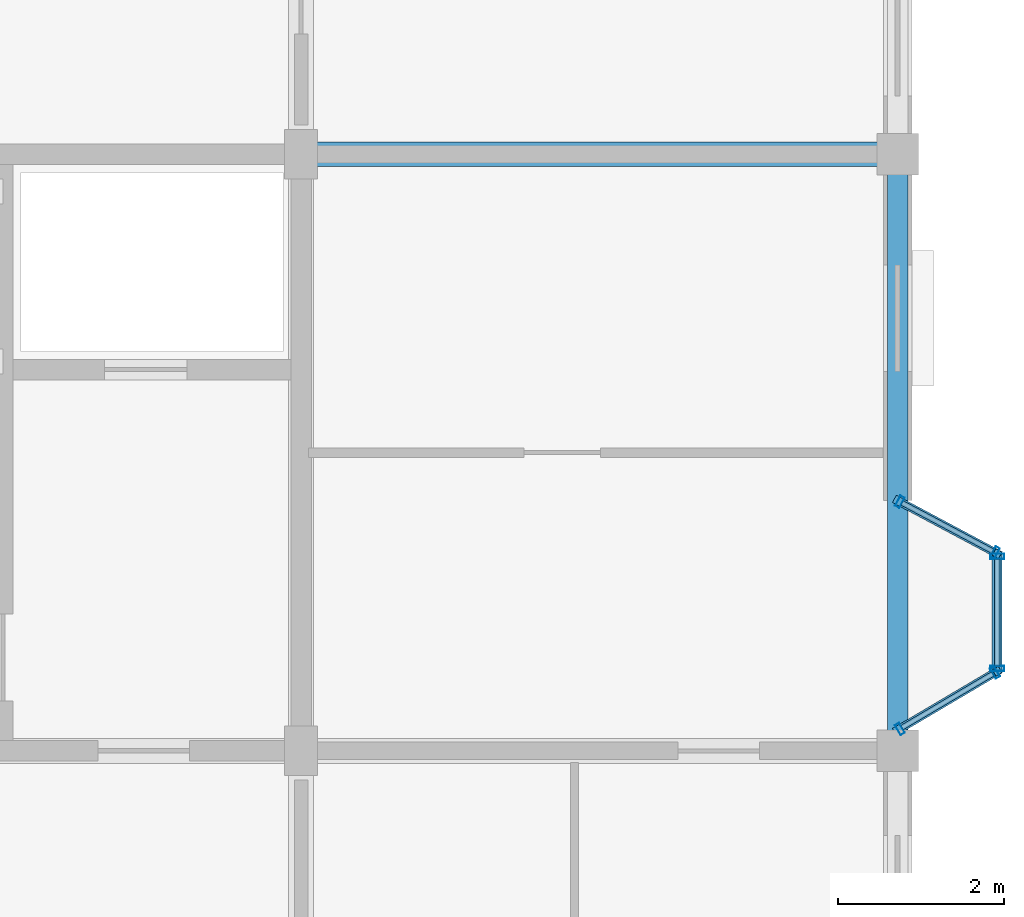
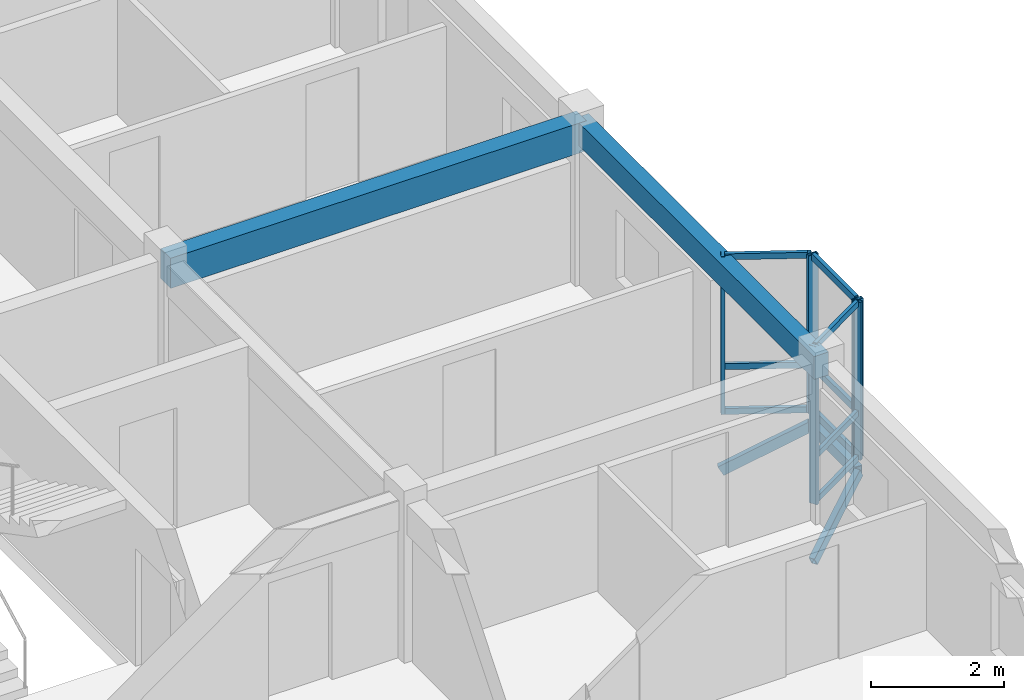
# One storey, part 25 of 65: 18 members, 2 beams, 3 elements without a shape of their own.
"""IFC4 building model written with IfcOpenShell, lengths in metres."""

from ifc_helpers import new_model, si_unit, direction, frame, origin, origin_2d, place, context, subcontext, project, spatial, rectangle, hollow_rectangle, extrude, material, layer, layer_set, material_profile, profile_set, type_object, element, aggregate, save


model = new_model("IFC4")

# Units and contexts
model_context = context("Model", 3, precision=1e-05, world=origin(), true_north=direction((0.0, 1.0)))
body_context = subcontext(model_context, "Body", "Model", "MODEL_VIEW")
ifc_project = project(units=[si_unit("LENGTHUNIT", "METRE"), si_unit("AREAUNIT", "SQUARE_METRE"), si_unit("VOLUMEUNIT", "CUBIC_METRE"), si_unit("PLANEANGLEUNIT", "RADIAN"), si_unit("MASSUNIT", "GRAM", prefix="KILO"), si_unit("THERMODYNAMICTEMPERATUREUNIT", "KELVIN"), si_unit("POWERUNIT", "WATT")], contexts=[model_context])

# Site, building, storey
site_placement = place(None, origin())
site = spatial("IfcSite", under=ifc_project, at=site_placement, CompositionType="ELEMENT")
building_placement = place(site_placement, origin())
building = spatial("IfcBuilding", under=site, at=building_placement, Name="Tavuni Mirador Residences", CompositionType="ELEMENT")
storey_placement = place(building_placement, frame((0.0, 0.0, 29.699951171875)))
storey = spatial("IfcBuildingStorey", under=building, at=storey_placement, Name="L09", CompositionType="ELEMENT", Elevation=29.699951171875)

# Beams
ifc_material_1 = material(Name="Precast concrete C40/50", Category="concrete")
ifc_material_profile_1 = material_profile(ifc_material_1, rectangle(XDim=0.300048828125, YDim=0.550048828125, at=origin_2d()), Name="PC 300x550", Category="concrete")
ifc_profile_set_1 = profile_set([ifc_material_profile_1], Name="Precast concrete C40/50")
beam_type_1 = type_object("IfcBeamType", Name="BT-B550", PredefinedType="BEAM", material=ifc_profile_set_1)
beam_1_placement = place(storey_placement, frame((111.60009765625, 115.199951171875, 2.614990234375), z_axis=(1.0, 0.0, 0.0), x_axis=(0.0, 1.0, 0.0)))
element("IfcBeam", 1, at=beam_1_placement, inside=storey, type_object=beam_type_1, Name="BMX-BLK-D-L09-02-04", PredefinedType="BEAM", context=body_context, shape_type="SweptSolid", body=[
    extrude(rectangle(XDim=0.300048828125, YDim=0.550048828125, at=origin_2d()), origin(), (0.0, 0.0, 1.0), 7.199951171875),
])
ifc_material_profile_2 = material_profile(ifc_material_1, rectangle(XDim=0.25, YDim=0.419921875, at=origin_2d()), Name="PC 250x420", Category="concrete")
ifc_profile_set_2 = profile_set([ifc_material_profile_2], Name="Precast concrete C40/50")
beam_type_2 = type_object("IfcBeamType", Name="BT-SP420", PredefinedType="SPANDREL", material=ifc_profile_set_2)
beam_2_placement = place(storey_placement, frame((118.800048828125, 108.0, 2.679931640625), z_axis=(0.0, 1.0, 0.0), x_axis=(-1.0, 0.0, 0.0)))
element("IfcBeam", 2, at=beam_2_placement, inside=storey, type_object=beam_type_2, Name="BMY-BLK-D-L09-03-03", PredefinedType="SPANDREL", context=body_context, shape_type="SweptSolid", body=[
    extrude(rectangle(XDim=0.25, YDim=0.419921875, at=origin_2d()), origin(), (0.0, 0.0, 1.0), 7.199951171875),
])

# Curtain wall, members
ifc_material_2 = material(Name="Anodised aluminium", Category="aluminium")
ifc_layer_1 = layer(ifc_material_2, 0.175048828125, Name="Anodised aluminium", Category="aluminium")
ifc_layer_set_1 = layer_set([ifc_layer_1], Name="Anodised aluminium")
curtain_wall_type_1 = type_object("IfcCurtainWallType", Name="CWT-MIR-C", PredefinedType="NOTDEFINED", material=ifc_layer_set_1)
curtain_wall_1_placement = place(storey_placement, origin())
curtain_wall_1 = element("IfcCurtainWall", 3, at=curtain_wall_1_placement, inside=storey, type_object=curtain_wall_type_1, Name="CW-MIR-D-E2-L09-M1", PredefinedType="NOTDEFINED")
ifc_material_profile_3 = material_profile(ifc_material_2, hollow_rectangle(XDim=0.06005859375, YDim=0.139892578125, WallThickness=0.00390625, at=origin_2d()), Name="ALU 60x140x4.0", Category="aluminium")
ifc_profile_set_3 = profile_set([ifc_material_profile_3], Name="Anodised aluminium")
member_type_1 = type_object("IfcMemberType", Name="CWM-140", PredefinedType="MULLION", material=ifc_profile_set_3)
member_1_placement = place(storey_placement, frame((118.825927734375, 108.265380859375, 0.0), z_axis=(0.0, 0.0, 1.0), x_axis=(0.860640830284, 0.509212491254, 0.0)))
member_1 = element("IfcMember", 4, at=member_1_placement, type_object=member_type_1, Name="CW-03 mullion 1", PredefinedType="MULLION", context=body_context, shape_type="SweptSolid", body=[
    extrude(hollow_rectangle(XDim=0.06005859375, YDim=0.139892578125, WallThickness=0.00390625, at=origin_2d()), origin(), (0.0, 0.0, 1.0), 2.89013671875),
])
member_2_placement = place(storey_placement, frame((119.97412109375, 108.94482421875, 0.0), z_axis=(0.0, 0.0, 1.0), x_axis=(0.860640830284, 0.509212491254, 0.0)))
member_2 = element("IfcMember", 5, at=member_2_placement, type_object=member_type_1, Name="CW-03 mullion 2", PredefinedType="MULLION", context=body_context, shape_type="SweptSolid", body=[
    extrude(hollow_rectangle(XDim=0.06005859375, YDim=0.139892578125, WallThickness=0.00390625, at=origin_2d()), origin(), (0.0, 0.0, 1.0), 2.89013671875),
])

ifc_layer_2 = layer(ifc_material_2, 0.1650390625, Name="Anodised aluminium", Category="aluminium")
ifc_layer_set_2 = layer_set([ifc_layer_2], Name="Anodised aluminium")
curtain_wall_type_2 = type_object("IfcCurtainWallType", Name="CWT-MIR-A", PredefinedType="NOTDEFINED", material=ifc_layer_set_2)
curtain_wall_2_placement = place(storey_placement, origin())
curtain_wall_2 = element("IfcCurtainWall", 6, at=curtain_wall_2_placement, inside=storey, type_object=curtain_wall_type_2, Name="CW-MIR-D-E2-L09-M2", PredefinedType="NOTDEFINED")
member_3_placement = place(storey_placement, frame((119.9736328125, 110.39404296875, 0.0), z_axis=(0.0, 0.0, 1.0), x_axis=(-0.882352941175, 0.470588235296, 0.0)))
member_3 = element("IfcMember", 7, at=member_3_placement, type_object=member_type_1, Name="CW-01 mullion 1", PredefinedType="MULLION", context=body_context, shape_type="SweptSolid", body=[
    extrude(hollow_rectangle(XDim=0.06005859375, YDim=0.139892578125, WallThickness=0.00390625, at=origin_2d()), origin(), (0.0, 0.0, 1.0), 2.89013671875),
])
member_4_placement = place(storey_placement, frame((118.826416015625, 111.005859375, 0.0), z_axis=(0.0, 0.0, 1.0), x_axis=(-0.882352941175, 0.470588235296, 0.0)))
member_4 = element("IfcMember", 8, at=member_4_placement, type_object=member_type_1, Name="CW-01 mullion 2", PredefinedType="MULLION", context=body_context, shape_type="SweptSolid", body=[
    extrude(hollow_rectangle(XDim=0.06005859375, YDim=0.139892578125, WallThickness=0.00390625, at=origin_2d()), origin(), (0.0, 0.0, 1.0), 2.89013671875),
])

ifc_layer_3 = layer(ifc_material_2, 0.159912109375, Name="Anodised aluminium", Category="aluminium")
ifc_layer_set_3 = layer_set([ifc_layer_3], Name="Anodised aluminium")
curtain_wall_type_3 = type_object("IfcCurtainWallType", Name="CWT-MIR-D", PredefinedType="NOTDEFINED", material=ifc_layer_set_3)
curtain_wall_3_placement = place(storey_placement, origin())
curtain_wall_3 = element("IfcCurtainWall", 9, at=curtain_wall_3_placement, inside=storey, type_object=curtain_wall_type_3, Name="CW-MIR-D-E2-L09-MF", PredefinedType="NOTDEFINED")
ifc_material_profile_4 = material_profile(ifc_material_2, hollow_rectangle(XDim=0.06494140625, YDim=0.1650390625, WallThickness=0.00439453125, at=origin_2d()), Name="ALU 65x165x4.5", Category="aluminium")
ifc_profile_set_4 = profile_set([ifc_material_profile_4], Name="Anodised aluminium")
member_type_2 = type_object("IfcMemberType", Name="CWM-165", PredefinedType="MULLION", material=ifc_profile_set_4)
member_5_placement = place(storey_placement, frame((120.0, 108.992431640625, 0.0), z_axis=(0.0, 0.0, 1.0), x_axis=(0.0, 1.0, 0.0)))
member_5 = element("IfcMember", 10, at=member_5_placement, type_object=member_type_2, Name="CW-04 mullion 1", PredefinedType="MULLION", context=body_context, shape_type="SweptSolid", body=[
    extrude(hollow_rectangle(XDim=0.06494140625, YDim=0.1650390625, WallThickness=0.00439453125, at=origin_2d()), origin(), (0.0, 0.0, 1.0), 2.89013671875),
])
member_6_placement = place(storey_placement, frame((120.0, 110.347412109375, 0.0), z_axis=(0.0, 0.0, 1.0), x_axis=(0.0, 1.0, 0.0)))
member_6 = element("IfcMember", 11, at=member_6_placement, type_object=member_type_2, Name="CW-04 mullion 2", PredefinedType="MULLION", context=body_context, shape_type="SweptSolid", body=[
    extrude(hollow_rectangle(XDim=0.06494140625, YDim=0.1650390625, WallThickness=0.00439453125, at=origin_2d()), origin(), (0.0, 0.0, 1.0), 2.89013671875),
])

# Member
ifc_material_profile_5 = material_profile(ifc_material_2, hollow_rectangle(XDim=0.06005859375, YDim=0.110107421875, WallThickness=0.00390625, at=origin_2d()), Name="ALU 60x110x4.0", Category="aluminium")
ifc_profile_set_5 = profile_set([ifc_material_profile_5], Name="Anodised aluminium")
member_type_3 = type_object("IfcMemberType", Name="CWT-110", PredefinedType="USERDEFINED", material=ifc_profile_set_5)
member_7_placement = place(storey_placement, frame((118.8515625, 108.280517578125, 0.030029296875), z_axis=(0.860621238039, 0.509245603452, 0.0), x_axis=(-0.509245603452, 0.860621238039, 0.0)))
member_7 = element("IfcMember", 12, at=member_7_placement, type_object=member_type_3, Name="CW-03 transom 1.1", ObjectType="TRANSOM", PredefinedType="USERDEFINED", context=body_context, shape_type="SweptSolid", body=[
    extrude(hollow_rectangle(XDim=0.06005859375, YDim=0.110107421875, WallThickness=0.00390625, at=origin_2d()), origin(), (0.0, 0.0, 1.0), 1.274169921875),
])

member_8_placement = place(storey_placement, frame((118.8515625, 108.280517578125, 0.85009765625), z_axis=(0.860621238039, 0.509245603452, 0.0), x_axis=(-0.509245603452, 0.860621238039, 0.0)))
member_8 = element("IfcMember", 13, at=member_8_placement, type_object=member_type_3, Name="CW-03 transom 1.2", ObjectType="TRANSOM", PredefinedType="USERDEFINED", context=body_context, shape_type="SweptSolid", body=[
    extrude(hollow_rectangle(XDim=0.06005859375, YDim=0.110107421875, WallThickness=0.00390625, at=origin_2d()), origin(), (0.0, 0.0, 1.0), 1.274169921875),
])

member_9_placement = place(storey_placement, frame((118.8515625, 108.280517578125, 2.860107421875), z_axis=(0.860621238039, 0.509245603452, 0.0), x_axis=(-0.509245603452, 0.860621238039, 0.0)))
member_9 = element("IfcMember", 14, at=member_9_placement, type_object=member_type_3, Name="CW-03 transom 1.3", ObjectType="TRANSOM", PredefinedType="USERDEFINED", context=body_context, shape_type="SweptSolid", body=[
    extrude(hollow_rectangle(XDim=0.06005859375, YDim=0.110107421875, WallThickness=0.00390625, at=origin_2d()), origin(), (0.0, 0.0, 1.0), 1.274169921875),
])

aggregate(curtain_wall_1, [member_1, member_2, member_7, member_8, member_9])

member_10_placement = place(storey_placement, frame((119.947021484375, 110.408203125, 0.030029296875), z_axis=(-0.882342039492, 0.470608675382, 0.0), x_axis=(-0.470608675382, -0.882342039492, 0.0)))
member_10 = element("IfcMember", 15, at=member_10_placement, type_object=member_type_3, Name="CW-01 transom 1.1", ObjectType="TRANSOM", PredefinedType="USERDEFINED", context=body_context, shape_type="SweptSolid", body=[
    extrude(hollow_rectangle(XDim=0.06005859375, YDim=0.110107421875, WallThickness=0.00390625, at=origin_2d()), origin(), (0.0, 0.0, 1.0), 1.239990234375),
])

member_11_placement = place(storey_placement, frame((119.947021484375, 110.408203125, 0.85009765625), z_axis=(-0.882342039492, 0.470608675382, 0.0), x_axis=(-0.470608675382, -0.882342039492, 0.0)))
member_11 = element("IfcMember", 16, at=member_11_placement, type_object=member_type_3, Name="CW-01 transom 1.2", ObjectType="TRANSOM", PredefinedType="USERDEFINED", context=body_context, shape_type="SweptSolid", body=[
    extrude(hollow_rectangle(XDim=0.06005859375, YDim=0.110107421875, WallThickness=0.00390625, at=origin_2d()), origin(), (0.0, 0.0, 1.0), 1.239990234375),
])

member_12_placement = place(storey_placement, frame((119.947021484375, 110.408203125, 2.860107421875), z_axis=(-0.882342039492, 0.470608675382, 0.0), x_axis=(-0.470608675382, -0.882342039492, 0.0)))
member_12 = element("IfcMember", 17, at=member_12_placement, type_object=member_type_3, Name="CW-01 transom 1.3", ObjectType="TRANSOM", PredefinedType="USERDEFINED", context=body_context, shape_type="SweptSolid", body=[
    extrude(hollow_rectangle(XDim=0.06005859375, YDim=0.110107421875, WallThickness=0.00390625, at=origin_2d()), origin(), (0.0, 0.0, 1.0), 1.239990234375),
])

aggregate(curtain_wall_2, [member_3, member_4, member_10, member_11, member_12])

ifc_material_profile_6 = material_profile(ifc_material_2, hollow_rectangle(XDim=0.06494140625, YDim=0.125, WallThickness=0.00439453125, at=origin_2d()), Name="ALU 65x125x4.5", Category="aluminium")
ifc_profile_set_6 = profile_set([ifc_material_profile_6], Name="Anodised aluminium")
member_type_4 = type_object("IfcMemberType", Name="CWT-125", PredefinedType="USERDEFINED", material=ifc_profile_set_6)
member_13_placement = place(storey_placement, frame((120.0, 109.02490234375, 0.032470703125), z_axis=(0.0, 1.0, 0.0), x_axis=(-1.0, 0.0, 0.0)))
member_13 = element("IfcMember", 18, at=member_13_placement, type_object=member_type_4, Name="CW-04 transom 1.1", ObjectType="TRANSOM", PredefinedType="USERDEFINED", context=body_context, shape_type="SweptSolid", body=[
    extrude(hollow_rectangle(XDim=0.06494140625, YDim=0.125, WallThickness=0.00439453125, at=origin_2d()), origin(), (0.0, 0.0, 1.0), 1.2900390625),
])

member_14_placement = place(storey_placement, frame((120.0, 109.02490234375, 0.85009765625), z_axis=(0.0, 1.0, 0.0), x_axis=(-1.0, 0.0, 0.0)))
member_14 = element("IfcMember", 19, at=member_14_placement, type_object=member_type_4, Name="CW-04 transom 1.2", ObjectType="TRANSOM", PredefinedType="USERDEFINED", context=body_context, shape_type="SweptSolid", body=[
    extrude(hollow_rectangle(XDim=0.06494140625, YDim=0.125, WallThickness=0.00439453125, at=origin_2d()), origin(), (0.0, 0.0, 1.0), 1.2900390625),
])

member_15_placement = place(storey_placement, frame((120.0, 109.02490234375, 2.857666015625), z_axis=(0.0, 1.0, 0.0), x_axis=(-1.0, 0.0, 0.0)))
member_15 = element("IfcMember", 20, at=member_15_placement, type_object=member_type_4, Name="CW-04 transom 1.3", ObjectType="TRANSOM", PredefinedType="USERDEFINED", context=body_context, shape_type="SweptSolid", body=[
    extrude(hollow_rectangle(XDim=0.06494140625, YDim=0.125, WallThickness=0.00439453125, at=origin_2d()), origin(), (0.0, 0.0, 1.0), 1.2900390625),
])

aggregate(curtain_wall_3, [member_5, member_6, member_13, member_14, member_15])

# Members
ifc_material_3 = material(Name="Structural steel S355", Category="steel")
ifc_material_profile_7 = material_profile(ifc_material_3, hollow_rectangle(XDim=0.10009765625, YDim=0.179931640625, WallThickness=0.008056640625, at=origin_2d()), Name="RHS 180x100x8.0", Category="steel")
ifc_profile_set_7 = profile_set([ifc_material_profile_7], Name="Structural steel S355")
member_type_5 = type_object("IfcMemberType", Name="MT-BR-RHS180", PredefinedType="BRACE", material=ifc_profile_set_7)
member_16_placement = place(storey_placement, frame((118.800048828125, 108.25, -1.050048828125), z_axis=(0.748787409168, 0.443026202617, 0.492996145691), x_axis=(-0.509207087026, 0.860644027762, 0.0)))
element("IfcMember", 21, at=member_16_placement, inside=storey, type_object=member_type_5, Name="MBRK-MIR-D-E2-L09-1", PredefinedType="BRACE", context=body_context, shape_type="SweptSolid", body=[
    extrude(hollow_rectangle(XDim=0.10009765625, YDim=0.179931640625, WallThickness=0.008056640625, at=origin_2d()), origin(), (0.0, 0.0, 1.0), 1.6025390625),
])
member_17_placement = place(storey_placement, frame((118.800048828125, 111.02001953125, -1.050048828125), z_axis=(0.762920992699, -0.406994678099, 0.502301593565), x_axis=(0.470681405175, 0.882303244255, 0.0)))
element("IfcMember", 22, at=member_17_placement, inside=storey, type_object=member_type_5, Name="MBRK-MIR-D-E2-L09-2", PredefinedType="BRACE", context=body_context, shape_type="SweptSolid", body=[
    extrude(hollow_rectangle(XDim=0.10009765625, YDim=0.179931640625, WallThickness=0.008056640625, at=origin_2d()), origin(), (0.0, 0.0, 1.0), 1.57275390625),
])
ifc_material_profile_8 = material_profile(ifc_material_3, hollow_rectangle(XDim=0.1201171875, YDim=0.199951171875, WallThickness=0.010009765625, at=origin_2d()), Name="RHS 200x120x10.0", Category="steel")
ifc_profile_set_8 = profile_set([ifc_material_profile_8], Name="Structural steel S355")
member_type_6 = type_object("IfcMemberType", Name="MT-ST-RHS200", PredefinedType="STRUT", material=ifc_profile_set_8)
member_18_placement = place(storey_placement, frame((120.0, 108.9599609375, -0.260009765625), z_axis=(0.0, 1.0, 0.0), x_axis=(-1.0, 0.0, 0.0)))
element("IfcMember", 23, at=member_18_placement, inside=storey, type_object=member_type_6, Name="MRIM-MIR-D-E2-L09", PredefinedType="STRUT", context=body_context, shape_type="SweptSolid", body=[
    extrude(hollow_rectangle(XDim=0.1201171875, YDim=0.199951171875, WallThickness=0.010009765625, at=origin_2d()), origin(), (0.0, 0.0, 1.0), 1.419921875),
])

save(model, "model.ifc")
